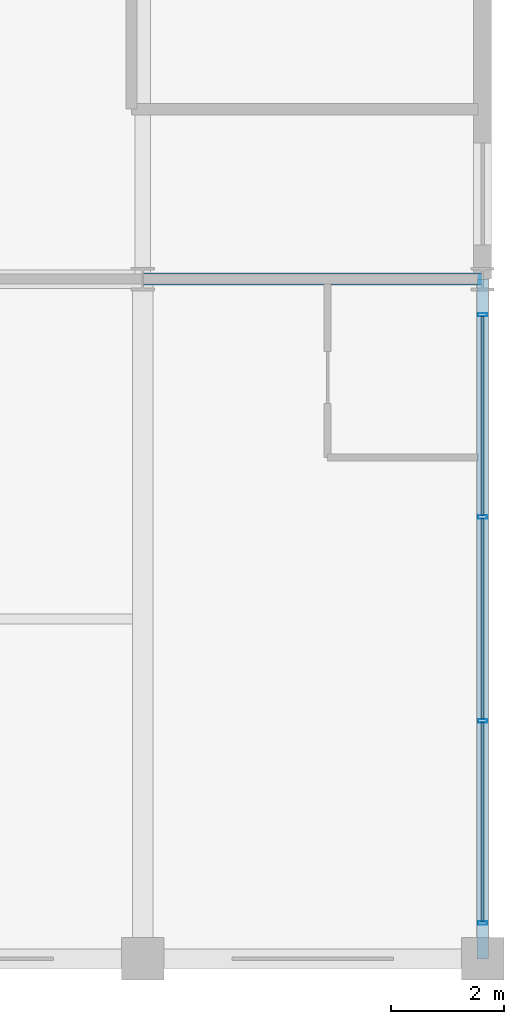
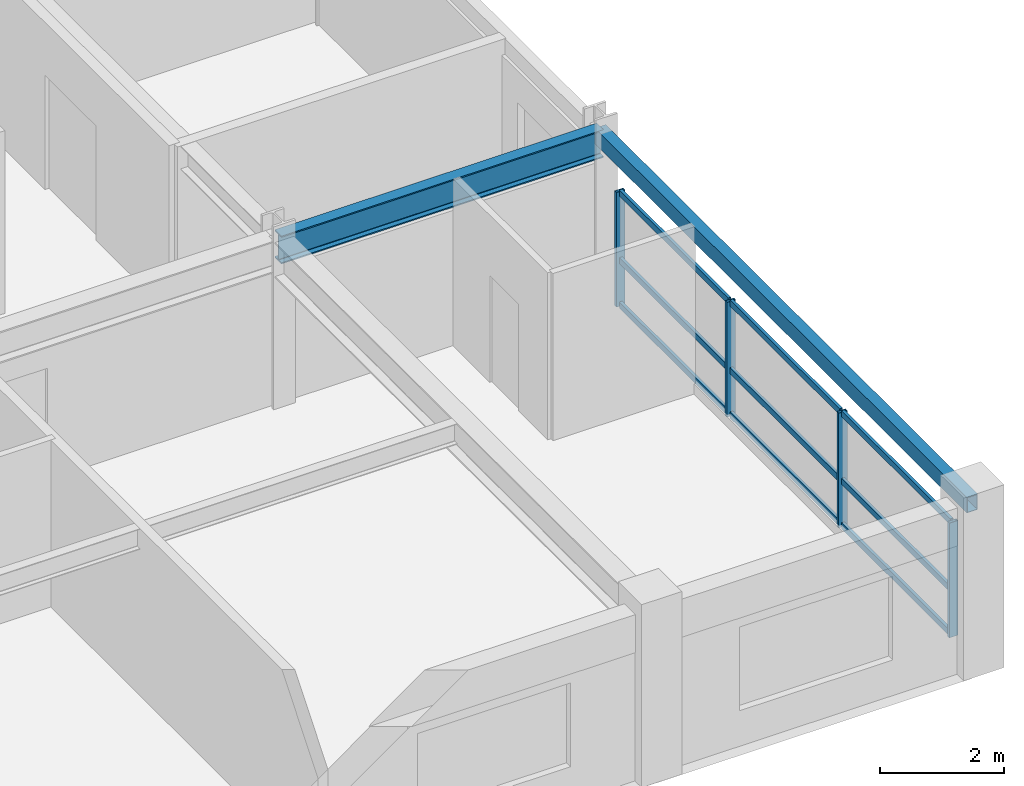
# One storey, part 10 of 21: 13 members, 2 beams, 1 element without a shape of its own.
"""IFC4 building model written with IfcOpenShell, lengths in metres."""

import ifcopenshell
import ifcopenshell.guid

model = None  # the IFC model being written
_history = None  # IfcOwnerHistory: only IFC2X3 demands one
_inside = {}  # id of a spatial element -> (the spatial element, [elements in it])
_under = {}  # id of a project, library or spatial element -> (it, [spatial elements below it])
_declared = {}  # id of a project -> (the project, [libraries it declares])
_typed = {}  # id of a type object -> (the type object, [elements of that type])
_made_of = {}  # id of a material, layer set ... -> (it, [elements and type objects made of it])


def new_model(schema):
    """Start an empty IFC model of exactly this schema.

    Asked for "IFC4X3", IfcOpenShell would pick the latest addendum, in which some entities
    have other attributes; the version numbers below select the first issue.
    IFC2X3 requires an IfcOwnerHistory on every rooted entity: one is made here for all.
    """
    global model, _history
    if schema == "IFC4X3":
        model = ifcopenshell.file(schema_version=(4, 3, 0, 0))
    else:
        model = ifcopenshell.file(schema=schema)
    _inside.clear()
    _under.clear()
    _declared.clear()
    _typed.clear()
    _made_of.clear()
    _history = None
    if model.schema == "IFC2X3":
        org = make("IfcOrganization", Name="unknown")
        user = make(
            "IfcPersonAndOrganization",
            ThePerson=make("IfcPerson", FamilyName="unknown"),
            TheOrganization=org,
        )
        app = make(
            "IfcApplication",
            ApplicationDeveloper=org,
            Version="unknown",
            ApplicationFullName="unknown",
            ApplicationIdentifier="unknown",
        )
        _history = make(
            "IfcOwnerHistory",
            OwningUser=user,
            OwningApplication=app,
            ChangeAction="ADDED",
            CreationDate=0,
        )
    return model


def make(cls, **values):
    """One entity of the class cls with the attributes given. An attribute that is None is left unset."""
    return model.create_entity(
        cls, **{name: value for name, value in values.items() if value is not None}
    )


def rooted(cls, **values):
    """An entity with a GlobalId (a new one), such as an element, a storey or a relation."""
    return make(cls, GlobalId=ifcopenshell.guid.new(), OwnerHistory=_history, **values)


def si_unit(unit_type, name, prefix=None):
    """IfcSIUnit, for example si_unit("LENGTHUNIT", "METRE", prefix="MILLI")."""
    return make("IfcSIUnit", UnitType=unit_type, Prefix=prefix, Name=name)


def assignment(units):
    """IfcUnitAssignment: the units of a project."""
    return None if units is None else make("IfcUnitAssignment", Units=units)


def point(xyz):
    """IfcCartesianPoint."""
    return None if xyz is None else make("IfcCartesianPoint", Coordinates=xyz)


def direction(xyz):
    """IfcDirection."""
    return None if xyz is None else make("IfcDirection", DirectionRatios=xyz)


def frame(location, z_axis=None, x_axis=None):
    """IfcAxis2Placement3D, a coordinate frame: its origin and axes. An axis left out is left unset."""
    return make(
        "IfcAxis2Placement3D",
        Location=point(location),
        Axis=direction(z_axis),
        RefDirection=direction(x_axis),
    )


def frame_2d(location, x_axis=None):
    """IfcAxis2Placement2D, a coordinate frame in the plane: its origin and x axis."""
    return make(
        "IfcAxis2Placement2D", Location=point(location), RefDirection=direction(x_axis)
    )


def origin():
    """The frame at (0, 0, 0) with its axes left unset."""
    return frame((0.0, 0.0, 0.0))


def origin_2d():
    """The frame at (0, 0) in the plane with its x axis left unset."""
    return frame_2d((0.0, 0.0))


def place(relative_to, where):
    """IfcLocalPlacement: puts the frame where relative to a parent placement (None: the world)."""
    return make(
        "IfcLocalPlacement", PlacementRelTo=relative_to, RelativePlacement=where
    )


def context(
    kind, dimensions, precision=None, world=None, true_north=None, identifier=None
):
    """IfcGeometricRepresentationContext, for example the 3D "Model" context."""
    return make(
        "IfcGeometricRepresentationContext",
        ContextIdentifier=identifier,
        ContextType=kind,
        CoordinateSpaceDimension=dimensions,
        Precision=precision,
        WorldCoordinateSystem=world,
        TrueNorth=true_north,
    )


def subcontext(parent, identifier, kind, view, scale=None):
    """IfcGeometricRepresentationSubContext, for example "Body" below "Model"."""
    return make(
        "IfcGeometricRepresentationSubContext",
        ContextIdentifier=identifier,
        ContextType=kind,
        ParentContext=parent,
        TargetScale=scale,
        TargetView=view,
    )


def project(units=None, contexts=None):
    """IfcProject with its units and contexts."""
    return rooted(
        "IfcProject",
        Name="project",
        RepresentationContexts=contexts,
        UnitsInContext=assignment(units),
    )


def spatial(cls, under=None, at=None, **own):
    """A site, building, storey or space (cls), placed at a placement, below another one or the project."""
    s = rooted(cls, ObjectPlacement=at, **own)
    if under is not None:
        _under.setdefault(under.id(), (under, []))[1].append(s)
    return s


def profile(cls, at=None, kind="AREA", **sizes):
    """A parametric profile (cls). Its sizes go by their IFC names, for example OverallWidth=200.0."""
    return make(cls, ProfileType=kind, Position=at, **sizes)


def hollow_rectangle(**sizes):
    """IfcRectangleHollowProfileDef."""
    return profile("IfcRectangleHollowProfileDef", **sizes)


def i_section(**sizes):
    """IfcIShapeProfileDef."""
    return profile("IfcIShapeProfileDef", **sizes)


def extrude(swept, where, along, depth):
    """IfcExtrudedAreaSolid: the profile swept, set in the frame where, extruded along a direction by depth."""
    return make(
        "IfcExtrudedAreaSolid",
        SweptArea=swept,
        Position=where,
        ExtrudedDirection=direction(along),
        Depth=depth,
    )


def shape(context_of_items, identifier, shape_type, items):
    """IfcShapeRepresentation: the items that make up one representation, for example the "Body"."""
    return make(
        "IfcShapeRepresentation",
        ContextOfItems=context_of_items,
        RepresentationIdentifier=identifier,
        RepresentationType=shape_type,
        Items=items,
    )


def material(Name=None, Category=None):
    """IfcMaterial."""
    return make("IfcMaterial", Name=Name, Category=Category)


def material_profile(
    of_material, cross_section, Name=None, Category=None, Priority=None
):
    """IfcMaterialProfile: a cross section and its material."""
    return make(
        "IfcMaterialProfile",
        Name=Name,
        Material=of_material,
        Profile=cross_section,
        Priority=Priority,
        Category=Category,
    )


def profile_set(profiles, Name=None, composite=None):
    """IfcMaterialProfileSet."""
    return make(
        "IfcMaterialProfileSet",
        Name=Name,
        MaterialProfiles=profiles,
        CompositeProfile=composite,
    )


def made_of(thing, what):
    """Note that an element or type object is made of a material, layer set ...; save() writes the relation."""
    if what is not None:
        _made_of.setdefault(what.id(), (what, []))[1].append(thing)
    return thing


def type_object(cls, material=None, **own):
    """A type object (cls), such as IfcWallType, which elements share."""
    return made_of(rooted(cls, **own), material)


def element(
    cls,
    number,
    at=None,
    inside=None,
    cuts=None,
    type_object=None,
    material=None,
    context=None,
    identifier="Body",
    shape_type=None,
    held_by="IfcProductDefinitionShape",
    body=None,
    shapes=None,
    **own,
):
    """One element of the class cls, such as IfcWall. Its Tag is "e" and its number.

    at: its placement. inside: the storey or other place that contains it. cuts: it is an
    opening in that element (IfcRelVoidsElement). A single representation is given by context,
    identifier, shape_type and body (its items); several are given by shapes. held_by: the class
    of the entity that holds the representations. save() writes the other relations.
    """
    e = rooted(cls, Tag="e%d" % number, ObjectPlacement=at, **own)
    if body is not None:
        shapes = [shape(context, identifier, shape_type, body)]
    if shapes is not None:
        e.Representation = make(held_by, Representations=shapes)
    if inside is not None:
        _inside.setdefault(inside.id(), (inside, []))[1].append(e)
    if cuts is not None:
        rooted(
            "IfcRelVoidsElement", RelatingBuildingElement=cuts, RelatedOpeningElement=e
        )
    if type_object is not None:
        _typed.setdefault(type_object.id(), (type_object, []))[1].append(e)
    return made_of(e, material)


def aggregate(whole, parts):
    """IfcRelAggregates: a whole, such as a stair, and the parts it consists of."""
    return rooted("IfcRelAggregates", RelatingObject=whole, RelatedObjects=parts)


def save(model, path):
    """Write the relations noted so far, then the file.

    IfcRelAggregates (storeys below a building ...), IfcRelContainedInSpatialStructure (elements
    in a storey), IfcRelDefinesByType, IfcRelAssociatesMaterial and IfcRelDeclares: one each for
    every whole, place, type object, material and project.
    """
    for whole, parts in _under.values():
        aggregate(whole, parts)
    for where, things in _inside.values():
        rooted(
            "IfcRelContainedInSpatialStructure",
            RelatedElements=things,
            RelatingStructure=where,
        )
    for kind, things in _typed.values():
        rooted("IfcRelDefinesByType", RelatedObjects=things, RelatingType=kind)
    for what, things in _made_of.values():
        rooted("IfcRelAssociatesMaterial", RelatedObjects=things, RelatingMaterial=what)
    for by, libraries in _declared.values():
        rooted("IfcRelDeclares", RelatingContext=by, RelatedDefinitions=libraries)
    model.write(path)


model = new_model("IFC4")

# Units and contexts
model_context = context("Model", 3, precision=1e-05, world=origin(), true_north=direction((0.0, 1.0)))
body_context = subcontext(model_context, "Body", "Model", "MODEL_VIEW")
ifc_project = project(units=[si_unit("LENGTHUNIT", "METRE"), si_unit("AREAUNIT", "SQUARE_METRE"), si_unit("VOLUMEUNIT", "CUBIC_METRE"), si_unit("PLANEANGLEUNIT", "RADIAN"), si_unit("MASSUNIT", "GRAM", prefix="KILO")], contexts=[model_context])

# Site, building, storey
site_placement = place(None, origin())
site = spatial("IfcSite", under=ifc_project, at=site_placement, CompositionType="ELEMENT")
building_placement = place(site_placement, origin())
building = spatial("IfcBuilding", under=site, at=building_placement, Name="Kaldorvane Square Convention Centre", CompositionType="ELEMENT")
storey_placement = place(building_placement, frame((0.0, 0.0, 49.19999694824219)))
storey = spatial("IfcBuildingStorey", under=building, at=storey_placement, Name="L11", CompositionType="ELEMENT", Elevation=49.19999694824219)

# Beams
ifc_material_1 = material(Name="Steel ASTM A992 Gr. 50", Category="steel")
ifc_material_profile_1 = material_profile(ifc_material_1, i_section(OverallWidth=0.213897705078125, OverallDepth=0.549102783203125, WebThickness=0.0146942138671875, FlangeThickness=0.0236053466796875, FilletRadius=0.0126953125, at=origin_2d()), Name="W21X93")
ifc_profile_set_1 = profile_set([ifc_material_profile_1], Name="Steel ASTM A992 Gr. 50")
beam_type_1 = type_object("IfcBeamType", Name="BM-GR-W21X93", PredefinedType="BEAM", material=ifc_profile_set_1)
beam_1_placement = place(storey_placement, frame((78.0, 96.0, 3.011505126953125), z_axis=(1.0, 0.0, 0.0), x_axis=(0.0, 1.0, 0.0)))
element("IfcBeam", 1, at=beam_1_placement, inside=storey, type_object=beam_type_1, Name="Primary Girder (L11)", PredefinedType="BEAM", context=body_context, shape_type="SweptSolid", body=[
    extrude(i_section(OverallWidth=0.213897705078125, OverallDepth=0.549102783203125, WebThickness=0.0146942138671875, FlangeThickness=0.0236053466796875, FilletRadius=0.0126953125, at=origin_2d()), origin(), (0.0, 0.0, 1.0), 6.0),
])
ifc_material_2 = material(Name="Steel ASTM A500 Gr. C", Category="steel")
ifc_material_profile_2 = material_profile(ifc_material_2, hollow_rectangle(XDim=0.2032012939453125, YDim=0.3047943115234375, WallThickness=0.0088958740234375, at=origin_2d()), Name="HSS12X8X3/8")
ifc_profile_set_2 = profile_set([ifc_material_profile_2], Name="Steel ASTM A500 Gr. C")
beam_type_2 = type_object("IfcBeamType", Name="BM-SP-HSS12", PredefinedType="SPANDREL", material=ifc_profile_set_2)
beam_2_placement = place(storey_placement, frame((84.0, 84.0, 3.13360595703125), z_axis=(0.0, 1.0, 0.0), x_axis=(-1.0, 0.0, 0.0)))
element("IfcBeam", 2, at=beam_2_placement, inside=storey, type_object=beam_type_2, Name="End Spandrel (L11)", PredefinedType="SPANDREL", context=body_context, shape_type="SweptSolid", body=[
    extrude(hollow_rectangle(XDim=0.2032012939453125, YDim=0.3047943115234375, WallThickness=0.0088958740234375, at=origin_2d()), origin(), (0.0, 0.0, 1.0), 12.0),
])

# Curtain wall, members
ifc_material_3 = material(Name="Anodized Aluminum and Low-E Insulated Glazing", Category="aluminium")
curtain_wall_type = type_object("IfcCurtainWallType", Name="CW-UNI-HTL-A", PredefinedType="USERDEFINED", material=ifc_material_3)
curtain_wall_placement = place(storey_placement, origin())
curtain_wall = element("IfcCurtainWall", 3, at=curtain_wall_placement, inside=storey, type_object=curtain_wall_type, Name="Curtain Wall CW-10 (L11)", ObjectType="UNITISED GLAZING", PredefinedType="USERDEFINED")
ifc_material_profile_3 = material_profile(ifc_material_3, hollow_rectangle(XDim=0.05999755859375, YDim=0.160003662109375, WallThickness=0.003204345703125, at=origin_2d()), Name="CWM-160X60")
ifc_profile_set_3 = profile_set([ifc_material_profile_3], Name="Anodized Aluminum and Low-E Insulated Glazing")
member_type_1 = type_object("IfcMemberType", Name="CW-MUL-160", PredefinedType="MULLION", material=ifc_profile_set_3)
member_1_placement = place(storey_placement, frame((84.0, 84.6300048828125, 0.1500091552734375), z_axis=(0.0, 0.0, 1.0), x_axis=(0.0, 1.0, 0.0)))
member_1 = element("IfcMember", 4, at=member_1_placement, type_object=member_type_1, Name="CW-10 mullion 1", PredefinedType="MULLION", context=body_context, shape_type="SweptSolid", body=[
    extrude(hollow_rectangle(XDim=0.05999755859375, YDim=0.160003662109375, WallThickness=0.003204345703125, at=origin_2d()), origin(), (0.0, 0.0, 1.0), 2.2599945068359375),
])
member_2_placement = place(storey_placement, frame((84.0, 88.19999694824219, 0.1500091552734375), z_axis=(0.0, 0.0, 1.0), x_axis=(0.0, 1.0, 0.0)))
member_2 = element("IfcMember", 5, at=member_2_placement, type_object=member_type_1, Name="CW-10 mullion 2", PredefinedType="MULLION", context=body_context, shape_type="SweptSolid", body=[
    extrude(hollow_rectangle(XDim=0.05999755859375, YDim=0.160003662109375, WallThickness=0.003204345703125, at=origin_2d()), origin(), (0.0, 0.0, 1.0), 2.2599945068359375),
])
member_3_placement = place(storey_placement, frame((84.0, 91.80000305175781, 0.1500091552734375), z_axis=(0.0, 0.0, 1.0), x_axis=(0.0, 1.0, 0.0)))
member_3 = element("IfcMember", 6, at=member_3_placement, type_object=member_type_1, Name="CW-10 mullion 3", PredefinedType="MULLION", context=body_context, shape_type="SweptSolid", body=[
    extrude(hollow_rectangle(XDim=0.05999755859375, YDim=0.160003662109375, WallThickness=0.003204345703125, at=origin_2d()), origin(), (0.0, 0.0, 1.0), 2.2599945068359375),
])
member_4_placement = place(storey_placement, frame((84.0, 95.3699951171875, 0.1500091552734375), z_axis=(0.0, 0.0, 1.0), x_axis=(0.0, 1.0, 0.0)))
member_4 = element("IfcMember", 7, at=member_4_placement, type_object=member_type_1, Name="CW-10 mullion 4", PredefinedType="MULLION", context=body_context, shape_type="SweptSolid", body=[
    extrude(hollow_rectangle(XDim=0.05999755859375, YDim=0.160003662109375, WallThickness=0.003204345703125, at=origin_2d()), origin(), (0.0, 0.0, 1.0), 2.2599945068359375),
])
ifc_material_profile_4 = material_profile(ifc_material_3, hollow_rectangle(XDim=0.05499267578125, YDim=0.1199951171875, WallThickness=0.0030059814453125, at=origin_2d()), Name="CWT-120X55")
ifc_profile_set_4 = profile_set([ifc_material_profile_4], Name="Anodized Aluminum and Low-E Insulated Glazing")
member_type_2 = type_object("IfcMemberType", Name="CW-TRN-120", PredefinedType="USERDEFINED", material=ifc_profile_set_4)
member_5_placement = place(storey_placement, frame((84.0, 84.66000366210938, 0.1775054931640625), z_axis=(0.0, 1.0, 0.0), x_axis=(-1.0, 0.0, 0.0)))
member_5 = element("IfcMember", 8, at=member_5_placement, type_object=member_type_2, Name="CW-10 transom 1.1", ObjectType="TRANSOM", PredefinedType="USERDEFINED", context=body_context, shape_type="SweptSolid", body=[
    extrude(hollow_rectangle(XDim=0.05499267578125, YDim=0.1199951171875, WallThickness=0.0030059814453125, at=origin_2d()), origin(), (0.0, 0.0, 1.0), 3.5099945068359375),
])
member_6_placement = place(storey_placement, frame((84.0, 84.66000366210938, 1.0500030517578125), z_axis=(0.0, 1.0, 0.0), x_axis=(-1.0, 0.0, 0.0)))
member_6 = element("IfcMember", 9, at=member_6_placement, type_object=member_type_2, Name="CW-10 transom 1.2", ObjectType="TRANSOM", PredefinedType="USERDEFINED", context=body_context, shape_type="SweptSolid", body=[
    extrude(hollow_rectangle(XDim=0.05499267578125, YDim=0.1199951171875, WallThickness=0.0030059814453125, at=origin_2d()), origin(), (0.0, 0.0, 1.0), 3.5099945068359375),
])
member_7_placement = place(storey_placement, frame((84.0, 84.66000366210938, 2.38250732421875), z_axis=(0.0, 1.0, 0.0), x_axis=(-1.0, 0.0, 0.0)))
member_7 = element("IfcMember", 10, at=member_7_placement, type_object=member_type_2, Name="CW-10 transom 1.3", ObjectType="TRANSOM", PredefinedType="USERDEFINED", context=body_context, shape_type="SweptSolid", body=[
    extrude(hollow_rectangle(XDim=0.05499267578125, YDim=0.1199951171875, WallThickness=0.0030059814453125, at=origin_2d()), origin(), (0.0, 0.0, 1.0), 3.5099945068359375),
])
member_8_placement = place(storey_placement, frame((84.0, 88.22999572753906, 0.1775054931640625), z_axis=(0.0, 1.0, 0.0), x_axis=(-1.0, 0.0, 0.0)))
member_8 = element("IfcMember", 11, at=member_8_placement, type_object=member_type_2, Name="CW-10 transom 2.1", ObjectType="TRANSOM", PredefinedType="USERDEFINED", context=body_context, shape_type="SweptSolid", body=[
    extrude(hollow_rectangle(XDim=0.05499267578125, YDim=0.1199951171875, WallThickness=0.0030059814453125, at=origin_2d()), origin(), (0.0, 0.0, 1.0), 3.540008544921875),
])
member_9_placement = place(storey_placement, frame((84.0, 88.22999572753906, 1.0500030517578125), z_axis=(0.0, 1.0, 0.0), x_axis=(-1.0, 0.0, 0.0)))
member_9 = element("IfcMember", 12, at=member_9_placement, type_object=member_type_2, Name="CW-10 transom 2.2", ObjectType="TRANSOM", PredefinedType="USERDEFINED", context=body_context, shape_type="SweptSolid", body=[
    extrude(hollow_rectangle(XDim=0.05499267578125, YDim=0.1199951171875, WallThickness=0.0030059814453125, at=origin_2d()), origin(), (0.0, 0.0, 1.0), 3.540008544921875),
])
member_10_placement = place(storey_placement, frame((84.0, 88.22999572753906, 2.38250732421875), z_axis=(0.0, 1.0, 0.0), x_axis=(-1.0, 0.0, 0.0)))
member_10 = element("IfcMember", 13, at=member_10_placement, type_object=member_type_2, Name="CW-10 transom 2.3", ObjectType="TRANSOM", PredefinedType="USERDEFINED", context=body_context, shape_type="SweptSolid", body=[
    extrude(hollow_rectangle(XDim=0.05499267578125, YDim=0.1199951171875, WallThickness=0.0030059814453125, at=origin_2d()), origin(), (0.0, 0.0, 1.0), 3.540008544921875),
])
member_11_placement = place(storey_placement, frame((84.0, 91.83000183105469, 0.1775054931640625), z_axis=(0.0, 1.0, 0.0), x_axis=(-1.0, 0.0, 0.0)))
member_11 = element("IfcMember", 14, at=member_11_placement, type_object=member_type_2, Name="CW-10 transom 3.1", ObjectType="TRANSOM", PredefinedType="USERDEFINED", context=body_context, shape_type="SweptSolid", body=[
    extrude(hollow_rectangle(XDim=0.05499267578125, YDim=0.1199951171875, WallThickness=0.0030059814453125, at=origin_2d()), origin(), (0.0, 0.0, 1.0), 3.5099945068359375),
])
member_12_placement = place(storey_placement, frame((84.0, 91.83000183105469, 1.0500030517578125), z_axis=(0.0, 1.0, 0.0), x_axis=(-1.0, 0.0, 0.0)))
member_12 = element("IfcMember", 15, at=member_12_placement, type_object=member_type_2, Name="CW-10 transom 3.2", ObjectType="TRANSOM", PredefinedType="USERDEFINED", context=body_context, shape_type="SweptSolid", body=[
    extrude(hollow_rectangle(XDim=0.05499267578125, YDim=0.1199951171875, WallThickness=0.0030059814453125, at=origin_2d()), origin(), (0.0, 0.0, 1.0), 3.5099945068359375),
])
member_13_placement = place(storey_placement, frame((84.0, 91.83000183105469, 2.38250732421875), z_axis=(0.0, 1.0, 0.0), x_axis=(-1.0, 0.0, 0.0)))
member_13 = element("IfcMember", 16, at=member_13_placement, type_object=member_type_2, Name="CW-10 transom 3.3", ObjectType="TRANSOM", PredefinedType="USERDEFINED", context=body_context, shape_type="SweptSolid", body=[
    extrude(hollow_rectangle(XDim=0.05499267578125, YDim=0.1199951171875, WallThickness=0.0030059814453125, at=origin_2d()), origin(), (0.0, 0.0, 1.0), 3.5099945068359375),
])
aggregate(curtain_wall, [member_1, member_2, member_3, member_4, member_5, member_6, member_7, member_8, member_9, member_10, member_11, member_12, member_13])

save(model, "model.ifc")
